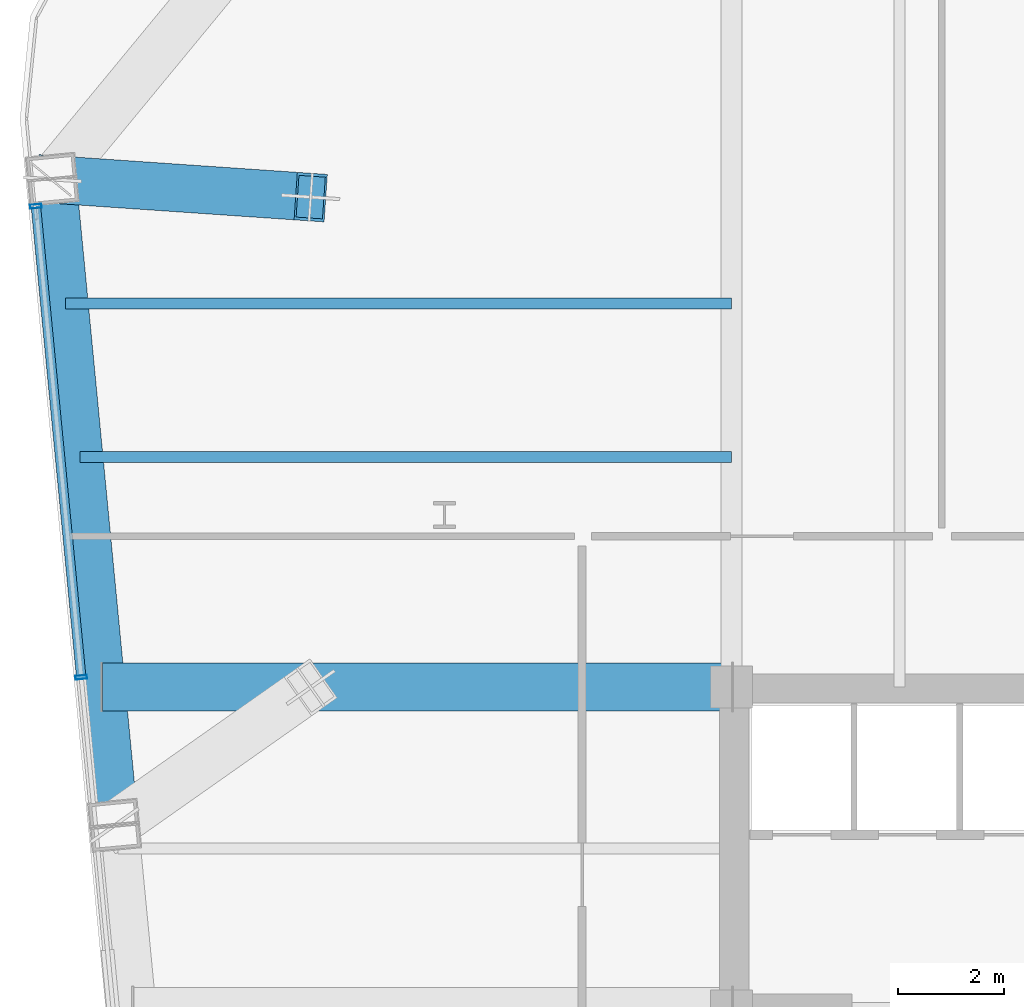
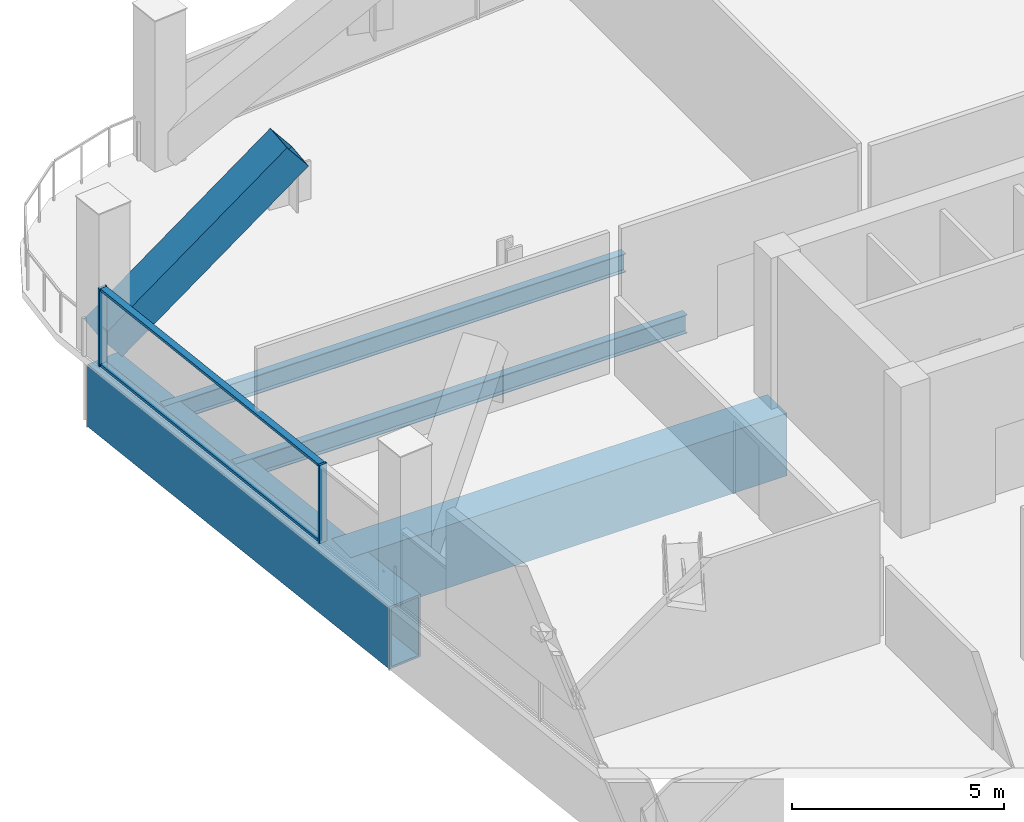
# One storey, part 14 of 30: 5 members, 4 beams, 1 element without a shape of its own.
"""IFC4 building model written with IfcOpenShell, lengths in metres."""

from ifc_helpers import new_model, si_unit, direction, frame, origin, origin_2d, place, context, subcontext, project, spatial, hollow_rectangle, i_section, extrude, material, layer, layer_set, material_profile, profile_set, type_object, element, aggregate, save


model = new_model("IFC4")

# Units and contexts
model_context = context("Model", 3, precision=1e-05, world=origin(), true_north=direction((0.0, 1.0)))
body_context = subcontext(model_context, "Body", "Model", "MODEL_VIEW")
ifc_project = project(units=[si_unit("LENGTHUNIT", "METRE"), si_unit("AREAUNIT", "SQUARE_METRE"), si_unit("VOLUMEUNIT", "CUBIC_METRE"), si_unit("PLANEANGLEUNIT", "RADIAN"), si_unit("MASSUNIT", "GRAM", prefix="KILO")], contexts=[model_context])

# Site, building, storey
site_placement = place(None, origin())
site = spatial("IfcSite", under=ifc_project, at=site_placement, CompositionType="ELEMENT")
building_placement = place(site_placement, origin())
building = spatial("IfcBuilding", under=site, at=building_placement, Name="Qhalaya Broadcast Tower", CompositionType="ELEMENT")
storey_placement = place(building_placement, frame((0.0, 0.0, 96.89990234375)))
storey = spatial("IfcBuildingStorey", under=building, at=storey_placement, Name="L28", CompositionType="ELEMENT", Elevation=96.89990234375)

# Beams
ifc_material_1 = material(Name="Structural Steel ASTM A572 Grade 50", Category="steel")
ifc_material_profile_1 = material_profile(ifc_material_1, hollow_rectangle(XDim=0.89990234375, YDim=1.800048828125, WallThickness=0.06005859375, at=origin_2d()), Name="BOX 900x1800x60")
ifc_profile_set_1 = profile_set([ifc_material_profile_1], Name="Structural Steel ASTM A572 Grade 50")
beam_type_1 = type_object("IfcBeamType", Name="Block Cantilever Transfer Box Girder TG1", PredefinedType="USERDEFINED", material=ifc_profile_set_1)
beam_1_placement = place(storey_placement, frame((-22.212646484375, 19.54541015625, -1.119873046875), z_axis=(0.095851586307, -0.99539563662, 0.0), x_axis=(0.99539563662, 0.095851586307, 0.0)))
element("IfcBeam", 1, at=beam_1_placement, inside=storey, type_object=beam_type_1, Name="L28 TG1 L28-SPR-13", ObjectType="GIRDER", PredefinedType="USERDEFINED", context=body_context, shape_type="SweptSolid", body=[
    extrude(hollow_rectangle(XDim=0.89990234375, YDim=1.800048828125, WallThickness=0.06005859375, at=origin_2d()), origin(), (0.0, 0.0, 1.0), 12.2666015625),
])
beam_2_placement = place(storey_placement, frame((-21.2685546875, 9.949951171875, -1.119873046875), z_axis=(1.0, 0.0, 0.0), x_axis=(0.0, 1.0, 0.0)))
element("IfcBeam", 2, at=beam_2_placement, inside=storey, type_object=beam_type_1, Name="L28 TG1 L28-PGYW4-1", ObjectType="GIRDER", PredefinedType="USERDEFINED", context=body_context, shape_type="SweptSolid", body=[
    extrude(hollow_rectangle(XDim=0.89990234375, YDim=1.800048828125, WallThickness=0.06005859375, at=origin_2d()), origin(), (0.0, 0.0, 1.0), 11.8935546875),
])
ifc_material_2 = material(Name="Structural Steel ASTM A992 Grade 50", Category="steel")
ifc_material_profile_2 = material_profile(ifc_material_2, i_section(OverallWidth=0.2099609375, OverallDepth=0.535888671875, WebThickness=0.010986328125, FlangeThickness=0.017333984375, at=origin_2d()), Name="W21X68")
ifc_profile_set_2 = profile_set([ifc_material_profile_2], Name="Structural Steel ASTM A992 Grade 50")
beam_type_2 = type_object("IfcBeamType", Name="Composite Floor Joist J02", PredefinedType="JOIST", material=ifc_profile_set_2)
beam_3_placement = place(storey_placement, frame((-21.6875, 14.300048828125, -0.48779296875), z_axis=(1.0, 0.0, 0.0), x_axis=(0.0, 1.0, 0.0)))
element("IfcBeam", 3, at=beam_3_placement, inside=storey, type_object=beam_type_2, Name="L28 J02 L28-JWE6W-1", PredefinedType="JOIST", context=body_context, shape_type="SweptSolid", body=[
    extrude(i_section(OverallWidth=0.2099609375, OverallDepth=0.535888671875, WebThickness=0.010986328125, FlangeThickness=0.017333984375, at=origin_2d()), origin(), (0.0, 0.0, 1.0), 12.3125),
])
beam_4_placement = place(storey_placement, frame((-21.966796875, 17.199951171875, -0.48779296875), z_axis=(1.0, 0.0, 0.0), x_axis=(0.0, 1.0, 0.0)))
element("IfcBeam", 4, at=beam_4_placement, inside=storey, type_object=beam_type_2, Name="L28 J02 L28-JWE7W-1", PredefinedType="JOIST", context=body_context, shape_type="SweptSolid", body=[
    extrude(i_section(OverallWidth=0.2099609375, OverallDepth=0.535888671875, WebThickness=0.010986328125, FlangeThickness=0.017333984375, at=origin_2d()), origin(), (0.0, 0.0, 1.0), 12.591796875),
])

# Member
ifc_material_profile_3 = material_profile(ifc_material_1, hollow_rectangle(XDim=0.89990234375, YDim=0.89990234375, WallThickness=0.054931640625, at=origin_2d()), Name="BOX 900x900x55")
ifc_profile_set_3 = profile_set([ifc_material_profile_3], Name="Structural Steel ASTM A572 Grade 50")
member_type_1 = type_object("IfcMemberType", Name="Heavy Exoskeleton Transfer Strut RK1", PredefinedType="BRACE", material=ifc_profile_set_3)
member_1_placement = place(storey_placement, frame((-22.212646484375, 19.54541015625, 0.35888671875), z_axis=(0.77314535131, -0.053117741522, 0.632000610192), x_axis=(0.068541861266, 0.997648241242, 0.0)))
element("IfcMember", 5, at=member_1_placement, inside=storey, type_object=member_type_1, Name="L28 Inclined Exoskeleton Transfer Strut 13", PredefinedType="BRACE", context=body_context, shape_type="SweptSolid", body=[
    extrude(hollow_rectangle(XDim=0.89990234375, YDim=0.89990234375, WallThickness=0.054931640625, at=origin_2d()), origin(), (0.0, 0.0, 1.0), 6.315185546875),
])

# Curtain wall, members
ifc_material_3 = material(Name="Fired Architectural Terracotta", Category="masonry")
ifc_layer = layer(ifc_material_3, 0.219970703125, Name="Fired Architectural Terracotta")
ifc_layer_set = layer_set([ifc_layer], Name="Fired Architectural Terracotta")
curtain_wall_type = type_object("IfcCurtainWallType", Name="Block-Cap Unitised Terracotta Spandrel Wall CW-07", PredefinedType="NOTDEFINED", material=ifc_layer_set)
curtain_wall_placement = place(storey_placement, origin())
curtain_wall = element("IfcCurtainWall", 6, at=curtain_wall_placement, inside=storey, type_object=curtain_wall_type, Name="L28 Unitised Curtain Wall L28-CW-W", PredefinedType="NOTDEFINED")
ifc_material_4 = material(Name="Anodised Aluminium 6063-T6", Category="aluminium")
ifc_material_profile_4 = material_profile(ifc_material_4, hollow_rectangle(XDim=0.074951171875, YDim=0.219970703125, WallThickness=0.00390625, at=origin_2d()), Name="ALU-MUL 75x220x4")
ifc_profile_set_4 = profile_set([ifc_material_profile_4], Name="Anodised Aluminium 6063-T6")
member_type_2 = type_object("IfcMemberType", Name="Unitised Curtain-Wall Mullion M01", PredefinedType="MULLION", material=ifc_profile_set_4)
member_2_placement = place(storey_placement, frame((-21.668212890625, 10.13525390625, 0.0), z_axis=(0.0, 0.0, 1.0), x_axis=(-0.095846812756, 0.995396096278, 0.0)))
member_2 = element("IfcMember", 7, at=member_2_placement, type_object=member_type_2, Name="CW-07 mullion 4", PredefinedType="MULLION", context=body_context, shape_type="SweptSolid", body=[
    extrude(hollow_rectangle(XDim=0.074951171875, YDim=0.219970703125, WallThickness=0.00390625, at=origin_2d()), origin(), (0.0, 0.0, 1.0), 2.25),
])
member_3_placement = place(storey_placement, frame((-22.525390625, 19.03759765625, 0.0), z_axis=(0.0, 0.0, 1.0), x_axis=(-0.095846812756, 0.995396096278, 0.0)))
member_3 = element("IfcMember", 8, at=member_3_placement, type_object=member_type_2, Name="CW-07 mullion 5", PredefinedType="MULLION", context=body_context, shape_type="SweptSolid", body=[
    extrude(hollow_rectangle(XDim=0.074951171875, YDim=0.219970703125, WallThickness=0.00390625, at=origin_2d()), origin(), (0.0, 0.0, 1.0), 2.25),
])
ifc_material_profile_5 = material_profile(ifc_material_4, hollow_rectangle(XDim=0.074951171875, YDim=0.179931640625, WallThickness=0.00390625, at=origin_2d()), Name="ALU-TRN 75x180x4")
ifc_profile_set_5 = profile_set([ifc_material_profile_5], Name="Anodised Aluminium 6063-T6")
member_type_3 = type_object("IfcMemberType", Name="Unitised Curtain-Wall Transom T01", PredefinedType="USERDEFINED", material=ifc_profile_set_5)
member_4_placement = place(storey_placement, frame((-21.671875, 10.172607421875, 0.03759765625), z_axis=(-0.095828857485, 0.995397825029, 0.0), x_axis=(0.0, 0.0, 1.0)))
member_4 = element("IfcMember", 9, at=member_4_placement, type_object=member_type_3, Name="CW-07 transom 4.1", ObjectType="TRANSOM", PredefinedType="USERDEFINED", context=body_context, shape_type="SweptSolid", body=[
    extrude(hollow_rectangle(XDim=0.074951171875, YDim=0.179931640625, WallThickness=0.00390625, at=origin_2d()), origin(), (0.0, 0.0, 1.0), 8.868408203125),
])
member_5_placement = place(storey_placement, frame((-21.671875, 10.172607421875, 2.212646484375), z_axis=(-0.095828857485, 0.995397825029, 0.0), x_axis=(0.0, 0.0, 1.0)))
member_5 = element("IfcMember", 10, at=member_5_placement, type_object=member_type_3, Name="CW-07 transom 4.2", ObjectType="TRANSOM", PredefinedType="USERDEFINED", context=body_context, shape_type="SweptSolid", body=[
    extrude(hollow_rectangle(XDim=0.074951171875, YDim=0.179931640625, WallThickness=0.00390625, at=origin_2d()), origin(), (0.0, 0.0, 1.0), 8.868408203125),
])
aggregate(curtain_wall, [member_2, member_3, member_4, member_5])

save(model, "model.ifc")
